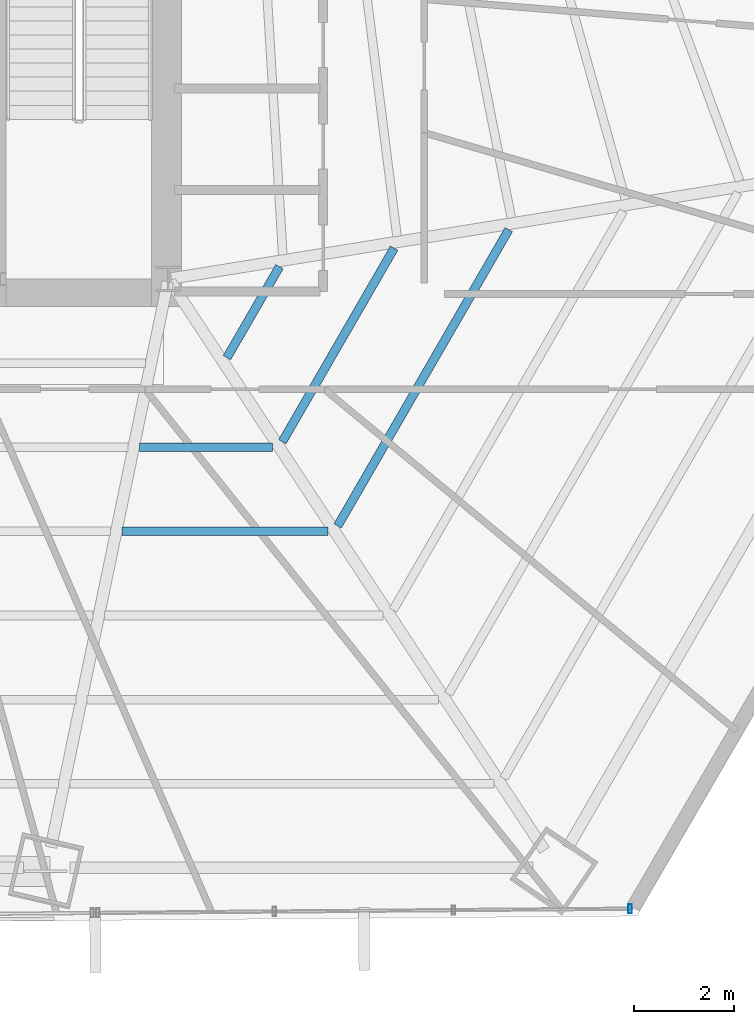
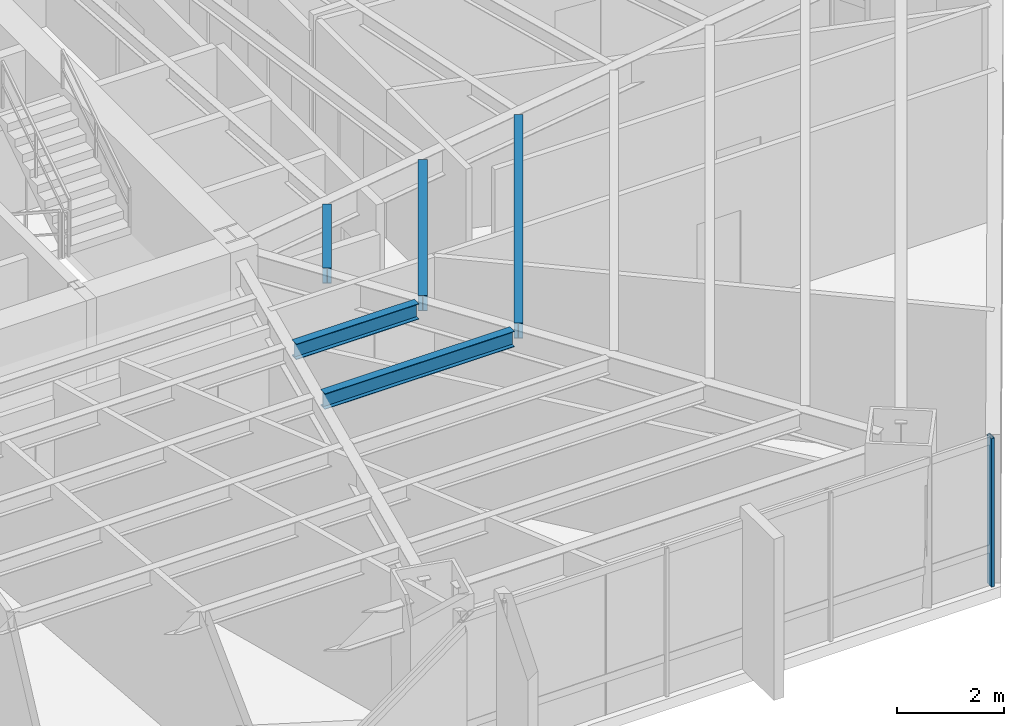
# One storey, part 18 of 38: 5 beams, 1 member, 1 element without a shape of its own.
"""IFC4 building model written with IfcOpenShell, lengths in metres."""

from ifc_helpers import new_model, si_unit, direction, frame, origin, origin_2d, place, context, subcontext, project, spatial, hollow_rectangle, i_section, extrude, source, transform, mapped, material, material_profile, profile_set, type_object, type_shapes, element, aggregate, save


model = new_model("IFC4")

# Units and contexts
model_context = context("Model", 3, precision=1e-05, world=origin(), true_north=direction((0.0, 1.0)))
body_context = subcontext(model_context, "Body", "Model", "MODEL_VIEW")
ifc_project = project(units=[si_unit("LENGTHUNIT", "METRE"), si_unit("AREAUNIT", "SQUARE_METRE"), si_unit("VOLUMEUNIT", "CUBIC_METRE"), si_unit("PLANEANGLEUNIT", "RADIAN"), si_unit("MASSUNIT", "GRAM", prefix="KILO")], contexts=[model_context])

# Site, building, storey
site_placement = place(None, origin())
site = spatial("IfcSite", under=ifc_project, at=site_placement, CompositionType="ELEMENT")
building_placement = place(site_placement, origin())
building = spatial("IfcBuilding", under=site, at=building_placement, Name="Caelisora Broadcast Tower", CompositionType="ELEMENT")
storey_placement = place(building_placement, frame((0.0, 0.0, 67.75)))
storey = spatial("IfcBuildingStorey", under=building, at=storey_placement, Name="L17", CompositionType="ELEMENT", Elevation=67.75)

# Beams
ifc_material_1 = material(Name="Steel Grade 350 (AS/NZS 3679.1)", Category="steel")
ifc_material_profile_1 = material_profile(ifc_material_1, i_section(OverallWidth=0.172119140625, OverallDepth=0.358642578125, WebThickness=0.008056640625, FlangeThickness=0.012939453125, at=origin_2d()), Name="Steel Grade 350 (AS/NZS 3679.1)")
ifc_profile_set_1 = profile_set([ifc_material_profile_1], Name="Steel Grade 350 (AS/NZS 3679.1)")
beam_type = type_object("IfcBeamType", Name="SB02", PredefinedType="JOIST", material=ifc_profile_set_1)
shared_shape_1 = source(origin(), body_context, "Body", "SweptSolid", [
    extrude(i_section(OverallWidth=0.172119140625, OverallDepth=0.358642578125, WebThickness=0.008056640625, FlangeThickness=0.012939453125, at=origin_2d()), origin(), (0.0, 0.0, 1.0), 2.093017578125),
])
beam_1_placement = place(storey_placement, frame((46.665283203125, 15.831787109375, 3.220703125), z_axis=(0.500065752615, 0.865987438166, 0.0), x_axis=(-0.865987438166, 0.500065752615, 0.0)))
element("IfcBeam", 1, at=beam_1_placement, inside=storey, type_object=beam_type, Name="L17 beam SB02", PredefinedType="JOIST", context=body_context, shape_type="MappedRepresentation", body=[
    mapped(shared_shape_1, transform((0.0, 0.0, 0.0), scale=1.0)),
])
shared_shape_2 = source(origin(), body_context, "Body", "SweptSolid", [
    extrude(i_section(OverallWidth=0.172119140625, OverallDepth=0.358642578125, WebThickness=0.008056640625, FlangeThickness=0.012939453125, at=origin_2d()), origin(), (0.0, 0.0, 1.0), 4.454345703125),
])
beam_2_placement = place(storey_placement, frame((47.7685546875, 14.15576171875, 3.220703125), z_axis=(0.500035588546, 0.866004855753, 0.0), x_axis=(-0.866004855753, 0.500035588546, 0.0)))
element("IfcBeam", 2, at=beam_2_placement, inside=storey, type_object=beam_type, Name="L17 beam SB02", PredefinedType="JOIST", context=body_context, shape_type="MappedRepresentation", body=[
    mapped(shared_shape_2, transform((0.0, 0.0, 0.0), scale=1.0)),
])
shared_shape_3 = source(origin(), body_context, "Body", "SweptSolid", [
    extrude(i_section(OverallWidth=0.172119140625, OverallDepth=0.358642578125, WebThickness=0.008056640625, FlangeThickness=0.012939453125, at=origin_2d()), origin(), (0.0, 0.0, 1.0), 6.81591796875),
])
beam_3_placement = place(storey_placement, frame((48.871826171875, 12.4794921875, 3.220703125), z_axis=(0.499995303914, 0.866028115054, 0.0), x_axis=(-0.866028115054, 0.499995303914, 0.0)))
element("IfcBeam", 3, at=beam_3_placement, inside=storey, type_object=beam_type, Name="L17 beam SB02", PredefinedType="JOIST", context=body_context, shape_type="MappedRepresentation", body=[
    mapped(shared_shape_3, transform((0.0, 0.0, 0.0), scale=1.0)),
])
shared_shape_4 = source(origin(), body_context, "Body", "SweptSolid", [
    extrude(i_section(OverallWidth=0.172119140625, OverallDepth=0.358642578125, WebThickness=0.008056640625, FlangeThickness=0.012939453125, at=origin_2d()), origin(), (0.0, 0.0, 1.0), 2.652587890625),
])
beam_4_placement = place(storey_placement, frame((44.92041015625, 14.0478515625, 3.220703125), z_axis=(1.0, 0.0, 0.0), x_axis=(0.0, 1.0, 0.0)))
element("IfcBeam", 4, at=beam_4_placement, inside=storey, type_object=beam_type, Name="L17 beam SB02", PredefinedType="JOIST", context=body_context, shape_type="MappedRepresentation", body=[
    mapped(shared_shape_4, transform((0.0, 0.0, 0.0), scale=1.0)),
])
shared_shape_5 = source(origin(), body_context, "Body", "SweptSolid", [
    extrude(i_section(OverallWidth=0.172119140625, OverallDepth=0.358642578125, WebThickness=0.008056640625, FlangeThickness=0.012939453125, at=origin_2d()), origin(), (0.0, 0.0, 1.0), 4.102294921875),
])
type_shapes(beam_type, [shared_shape_1, shared_shape_2, shared_shape_3, shared_shape_4, shared_shape_5])
beam_5_placement = place(storey_placement, frame((44.57373046875, 12.371826171875, 3.220703125), z_axis=(1.0, 0.0, 0.0), x_axis=(0.0, 1.0, 0.0)))
element("IfcBeam", 5, at=beam_5_placement, inside=storey, type_object=beam_type, Name="L17 beam SB02", PredefinedType="JOIST", context=body_context, shape_type="MappedRepresentation", body=[
    mapped(shared_shape_5, transform((0.0, 0.0, 0.0), scale=1.0)),
])

# Curtain wall, member
ifc_material_2 = material(Name="Unitised Aluminium and Low-E Glass Curtain Wall", Category="glass")
curtain_wall_type = type_object("IfcCurtainWallType", Name="CW-Z1", PredefinedType="NOTDEFINED", material=ifc_material_2)
curtain_wall_placement = place(storey_placement, origin())
curtain_wall = element("IfcCurtainWall", 6, at=curtain_wall_placement, inside=storey, type_object=curtain_wall_type, Name="L17 curtain wall CW-Z1", PredefinedType="NOTDEFINED")
ifc_material_3 = material(Name="Aluminium 6063-T6 Anodised Terracotta Bronze", Category="aluminium")
ifc_material_profile_2 = material_profile(ifc_material_3, hollow_rectangle(XDim=0.06494140625, YDim=0.179931640625, WallThickness=0.00341796875, at=origin_2d()), Name="Aluminium 6063-T6 Anodised Terracotta Bronze")
ifc_profile_set_2 = profile_set([ifc_material_profile_2], Name="Aluminium 6063-T6 Anodised Terracotta Bronze")
member_type = type_object("IfcMemberType", Name="CWM-02", PredefinedType="MULLION", material=ifc_profile_set_2)
shared_shape_6 = source(origin(), body_context, "Body", "SweptSolid", [
    extrude(hollow_rectangle(XDim=0.06494140625, YDim=0.179931640625, WallThickness=0.00341796875, at=origin_2d()), origin(), (0.0, 0.0, 1.0), 3.39990234375),
])
type_shapes(member_type, [shared_shape_6])
member_placement = place(storey_placement, frame((54.696044921875, 4.8544921875, 0.0), z_axis=(0.0, 0.0, 1.0), x_axis=(1.0, 0.0, 0.0)))
member = element("IfcMember", 7, at=member_placement, type_object=member_type, Name="L17-CW-B05 mullion #0", PredefinedType="MULLION", context=body_context, shape_type="MappedRepresentation", body=[
    mapped(shared_shape_6, transform((0.0, 0.0, 0.0), scale=1.0)),
])
aggregate(curtain_wall, [member])

save(model, "model.ifc")
